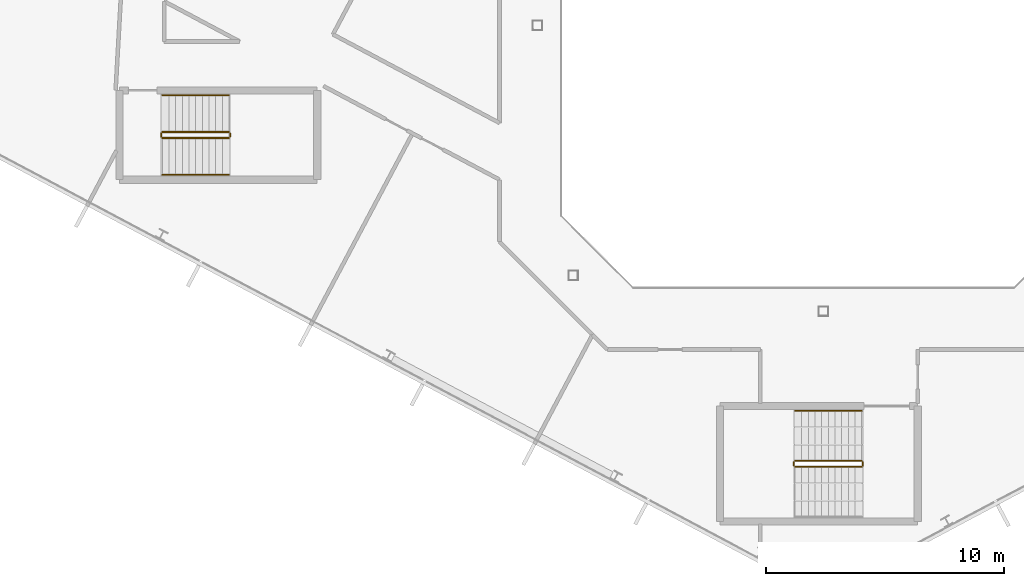
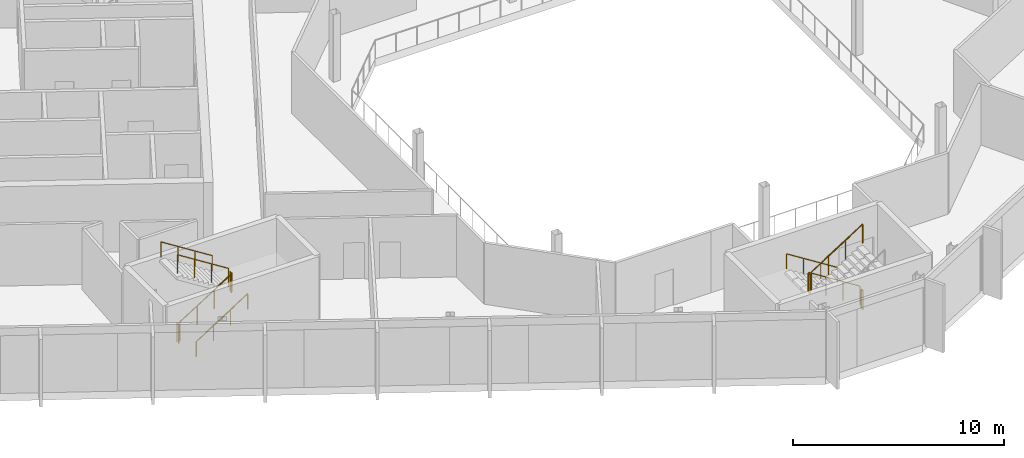
# One storey, part 20 of 26: 11 railings.
"""IFC4 building model written with IfcOpenShell, lengths in metres."""

from ifc_helpers import new_model, si_unit, direction, frame, origin, place, context, subcontext, project, spatial, polyline, outline, extrude, material, type_object, element, save


model = new_model("IFC4")

# Units and contexts
model_context = context("Model", 3, precision=1e-05, world=origin(), true_north=direction((0.0, 1.0)))
body_context = subcontext(model_context, "Body", "Model", "MODEL_VIEW")
ifc_project = project(units=[si_unit("LENGTHUNIT", "METRE"), si_unit("AREAUNIT", "SQUARE_METRE"), si_unit("VOLUMEUNIT", "CUBIC_METRE"), si_unit("PLANEANGLEUNIT", "RADIAN"), si_unit("MASSUNIT", "GRAM", prefix="KILO")], contexts=[model_context])

# Site, building, storey
site_placement = place(None, origin())
site = spatial("IfcSite", under=ifc_project, at=site_placement, CompositionType="ELEMENT")
building_placement = place(site_placement, origin())
building = spatial("IfcBuilding", under=site, at=building_placement, Name="Cormorant Relay Tower", CompositionType="ELEMENT")
storey_placement = place(building_placement, frame((0.0, 0.0, 320.39990234375)))
storey = spatial("IfcBuildingStorey", under=building, at=storey_placement, Name="L73", CompositionType="ELEMENT", Elevation=320.39990234375)

# Railings
ifc_material_1 = material(Name="Steel ASTM A572 Grade 50 (Fy 345 MPa)", Category="steel")
railing_type_1 = type_object("IfcRailingType", Name="Stair guard 1100", PredefinedType="GUARDRAIL", material=ifc_material_1)
railing_1_placement = place(storey_placement, frame((1.60009765625, -18.27490234375, 0.177490234375)))
element("IfcRailing", 1, at=railing_1_placement, inside=storey, type_object=railing_type_1, Name="L73 RK1 stair guard 1", PredefinedType="GUARDRAIL", context=body_context, shape_type="SweptSolid", body=[
    extrude(outline(polyline([(0.022216796875, 0.00927734375), (0.00927734375, 0.022216796875), (-0.00927734375, 0.022216796875), (-0.022216796875, 0.00927734375), (-0.022216796875, -0.00927734375), (-0.00927734375, -0.022216796875), (0.00927734375, -0.022216796875), (0.022216796875, -0.00927734375), (0.022216796875, 0.00927734375)])), frame((0.0, 0.0, 1.076171875), z_axis=(-0.844908973607, 0.0, 0.534910110503), x_axis=(0.0, -1.0, 0.0)), (0.0, 0.0, 1.0), 3.31396484375),
    extrude(outline(polyline([(0.019287109375, 0.008056640625), (0.008056640625, 0.019287109375), (-0.008056640625, 0.019287109375), (-0.019287109375, 0.008056640625), (-0.019287109375, -0.008056640625), (-0.008056640625, -0.019287109375), (0.008056640625, -0.019287109375), (0.019287109375, -0.008056640625), (0.019287109375, 0.008056640625)])), origin(), (0.0, 0.0, 1.0), 1.052001953125),
    extrude(outline(polyline([(0.019287109375, 0.008056640625), (0.008056640625, 0.019287109375), (-0.008056640625, 0.019287109375), (-0.019287109375, 0.008056640625), (-0.019287109375, -0.008056640625), (-0.008056640625, -0.019287109375), (0.008056640625, -0.019287109375), (0.019287109375, -0.008056640625), (0.019287109375, 0.008056640625)])), frame((-0.933349609375, 0.0, 0.5908203125)), (0.0, 0.0, 1.0), 1.052001953125),
    extrude(outline(polyline([(0.019287109375, 0.008056640625), (0.008056640625, 0.019287109375), (-0.008056640625, 0.019287109375), (-0.019287109375, 0.008056640625), (-0.019287109375, -0.008056640625), (-0.008056640625, -0.019287109375), (0.008056640625, -0.019287109375), (0.019287109375, -0.008056640625), (0.019287109375, 0.008056640625)])), frame((-1.86669921875, 0.0, 1.181884765625)), (0.0, 0.0, 1.0), 1.052001953125),
    extrude(outline(polyline([(0.019287109375, 0.008056640625), (0.008056640625, 0.019287109375), (-0.008056640625, 0.019287109375), (-0.019287109375, 0.008056640625), (-0.019287109375, -0.008056640625), (-0.008056640625, -0.019287109375), (0.008056640625, -0.019287109375), (0.019287109375, -0.008056640625), (0.019287109375, 0.008056640625)])), frame((-2.800048828125, 0.0, 1.772705078125)), (0.0, 0.0, 1.0), 1.052001953125),
])
railing_2_placement = place(storey_placement, frame((-1.25, -18.324951171875, 1.9501953125)))
element("IfcRailing", 2, at=railing_2_placement, inside=storey, type_object=railing_type_1, Name="L73 RK1 stair guard 2", PredefinedType="GUARDRAIL", context=body_context, shape_type="SweptSolid", body=[
    extrude(outline(polyline([(0.022216796875, 0.00927734375), (0.00927734375, 0.022216796875), (-0.00927734375, 0.022216796875), (-0.022216796875, 0.00927734375), (-0.022216796875, -0.00927734375), (-0.00927734375, -0.022216796875), (0.00927734375, -0.022216796875), (0.022216796875, -0.00927734375), (0.022216796875, 0.00927734375)])), frame((0.0, 0.0, 1.076171875), z_axis=(0.0, -1.0, 0.0), x_axis=(1.0, 0.0, 0.0)), (0.0, 0.0, 1.0), 0.150146484375),
    extrude(outline(polyline([(0.019287109375, 0.008056640625), (0.008056640625, 0.019287109375), (-0.008056640625, 0.019287109375), (-0.019287109375, 0.008056640625), (-0.019287109375, -0.008056640625), (-0.008056640625, -0.019287109375), (0.008056640625, -0.019287109375), (0.019287109375, -0.008056640625), (0.019287109375, 0.008056640625)])), origin(), (0.0, 0.0, 1.0), 1.052001953125),
    extrude(outline(polyline([(0.019287109375, 0.008056640625), (0.008056640625, 0.019287109375), (-0.008056640625, 0.019287109375), (-0.019287109375, 0.008056640625), (-0.019287109375, -0.008056640625), (-0.008056640625, -0.019287109375), (0.008056640625, -0.019287109375), (0.019287109375, -0.008056640625), (0.019287109375, 0.008056640625)])), frame((0.0, -0.150146484375, 0.0)), (0.0, 0.0, 1.0), 1.052001953125),
])
railing_3_placement = place(storey_placement, frame((-1.199951171875, -18.52490234375, 2.12744140625)))
element("IfcRailing", 3, at=railing_3_placement, inside=storey, type_object=railing_type_1, Name="L73 RK1 stair guard 3", PredefinedType="GUARDRAIL", context=body_context, shape_type="SweptSolid", body=[
    extrude(outline(polyline([(0.022216796875, 0.00927734375), (0.00927734375, 0.022216796875), (-0.00927734375, 0.022216796875), (-0.022216796875, 0.00927734375), (-0.022216796875, -0.00927734375), (-0.00927734375, -0.022216796875), (0.00927734375, -0.022216796875), (0.022216796875, -0.00927734375), (0.022216796875, 0.00927734375)])), frame((0.0, 0.0, 1.076171875), z_axis=(0.844908973607, 0.0, 0.534910110503), x_axis=(0.0, 1.0, 0.0)), (0.0, 0.0, 1.0), 3.31396484375),
    extrude(outline(polyline([(0.019287109375, 0.008056640625), (0.008056640625, 0.019287109375), (-0.008056640625, 0.019287109375), (-0.019287109375, 0.008056640625), (-0.019287109375, -0.008056640625), (-0.008056640625, -0.019287109375), (0.008056640625, -0.019287109375), (0.019287109375, -0.008056640625), (0.019287109375, 0.008056640625)])), origin(), (0.0, 0.0, 1.0), 1.052001953125),
    extrude(outline(polyline([(0.019287109375, 0.008056640625), (0.008056640625, 0.019287109375), (-0.008056640625, 0.019287109375), (-0.019287109375, 0.008056640625), (-0.019287109375, -0.008056640625), (-0.008056640625, -0.019287109375), (0.008056640625, -0.019287109375), (0.019287109375, -0.008056640625), (0.019287109375, 0.008056640625)])), frame((0.933349609375, 0.0, 0.5908203125)), (0.0, 0.0, 1.0), 1.052001953125),
    extrude(outline(polyline([(0.019287109375, 0.008056640625), (0.008056640625, 0.019287109375), (-0.008056640625, 0.019287109375), (-0.019287109375, 0.008056640625), (-0.019287109375, -0.008056640625), (-0.008056640625, -0.019287109375), (0.008056640625, -0.019287109375), (0.019287109375, -0.008056640625), (0.019287109375, 0.008056640625)])), frame((1.86669921875, 0.0, 1.181884765625)), (0.0, 0.0, 1.0), 1.052001953125),
    extrude(outline(polyline([(0.019287109375, 0.008056640625), (0.008056640625, 0.019287109375), (-0.008056640625, 0.019287109375), (-0.019287109375, 0.008056640625), (-0.019287109375, -0.008056640625), (-0.008056640625, -0.019287109375), (0.008056640625, -0.019287109375), (0.019287109375, -0.008056640625), (0.019287109375, 0.008056640625)])), frame((2.800048828125, 0.0, 1.772705078125)), (0.0, 0.0, 1.0), 1.052001953125),
])
railing_4_placement = place(storey_placement, frame((1.64990234375, -18.324951171875, 0.0)))
element("IfcRailing", 4, at=railing_4_placement, inside=storey, type_object=railing_type_1, Name="L73 RK1 stair guard 4", PredefinedType="GUARDRAIL", context=body_context, shape_type="SweptSolid", body=[
    extrude(outline(polyline([(0.022216796875, 0.00927734375), (0.00927734375, 0.022216796875), (-0.00927734375, 0.022216796875), (-0.022216796875, 0.00927734375), (-0.022216796875, -0.00927734375), (-0.00927734375, -0.022216796875), (0.00927734375, -0.022216796875), (0.022216796875, -0.00927734375), (0.022216796875, 0.00927734375)])), frame((0.0, 0.0, 1.076171875), z_axis=(0.0, -1.0, 0.0), x_axis=(1.0, 0.0, 0.0)), (0.0, 0.0, 1.0), 0.150146484375),
    extrude(outline(polyline([(0.019287109375, 0.008056640625), (0.008056640625, 0.019287109375), (-0.008056640625, 0.019287109375), (-0.019287109375, 0.008056640625), (-0.019287109375, -0.008056640625), (-0.008056640625, -0.019287109375), (0.008056640625, -0.019287109375), (0.019287109375, -0.008056640625), (0.019287109375, 0.008056640625)])), origin(), (0.0, 0.0, 1.0), 1.052001953125),
    extrude(outline(polyline([(0.019287109375, 0.008056640625), (0.008056640625, 0.019287109375), (-0.008056640625, 0.019287109375), (-0.019287109375, 0.008056640625), (-0.019287109375, -0.008056640625), (-0.008056640625, -0.019287109375), (0.008056640625, -0.019287109375), (0.019287109375, -0.008056640625), (0.019287109375, 0.008056640625)])), frame((0.0, -0.150146484375, 0.0)), (0.0, 0.0, 1.0), 1.052001953125),
])
railing_5_placement = place(storey_placement, frame((-27.75, -4.72509765625, 0.177490234375)))
element("IfcRailing", 5, at=railing_5_placement, inside=storey, type_object=railing_type_1, Name="L73 RC1 stair guard 1", PredefinedType="GUARDRAIL", context=body_context, shape_type="SweptSolid", body=[
    extrude(outline(polyline([(0.022216796875, 0.00927734375), (0.00927734375, 0.022216796875), (-0.00927734375, 0.022216796875), (-0.022216796875, 0.00927734375), (-0.022216796875, -0.00927734375), (-0.00927734375, -0.022216796875), (0.00927734375, -0.022216796875), (0.022216796875, -0.00927734375), (0.022216796875, 0.00927734375)])), frame((0.0, 0.0, 1.076171875), z_axis=(0.844908973607, 0.0, 0.534910110503), x_axis=(0.0, 1.0, 0.0)), (0.0, 0.0, 1.0), 3.31396484375),
    extrude(outline(polyline([(0.019287109375, 0.008056640625), (0.008056640625, 0.019287109375), (-0.008056640625, 0.019287109375), (-0.019287109375, 0.008056640625), (-0.019287109375, -0.008056640625), (-0.008056640625, -0.019287109375), (0.008056640625, -0.019287109375), (0.019287109375, -0.008056640625), (0.019287109375, 0.008056640625)])), origin(), (0.0, 0.0, 1.0), 1.052001953125),
    extrude(outline(polyline([(0.019287109375, 0.008056640625), (0.008056640625, 0.019287109375), (-0.008056640625, 0.019287109375), (-0.019287109375, 0.008056640625), (-0.019287109375, -0.008056640625), (-0.008056640625, -0.019287109375), (0.008056640625, -0.019287109375), (0.019287109375, -0.008056640625), (0.019287109375, 0.008056640625)])), frame((0.933349609375, 0.0, 0.5908203125)), (0.0, 0.0, 1.0), 1.052001953125),
    extrude(outline(polyline([(0.019287109375, 0.008056640625), (0.008056640625, 0.019287109375), (-0.008056640625, 0.019287109375), (-0.019287109375, 0.008056640625), (-0.019287109375, -0.008056640625), (-0.008056640625, -0.019287109375), (0.008056640625, -0.019287109375), (0.019287109375, -0.008056640625), (0.019287109375, 0.008056640625)])), frame((1.86669921875, 0.0, 1.181884765625)), (0.0, 0.0, 1.0), 1.052001953125),
    extrude(outline(polyline([(0.019287109375, 0.008056640625), (0.008056640625, 0.019287109375), (-0.008056640625, 0.019287109375), (-0.019287109375, 0.008056640625), (-0.019287109375, -0.008056640625), (-0.008056640625, -0.019287109375), (0.008056640625, -0.019287109375), (0.019287109375, -0.008056640625), (0.019287109375, 0.008056640625)])), frame((2.800048828125, 0.0, 1.772705078125)), (0.0, 0.0, 1.0), 1.052001953125),
])
railing_6_placement = place(storey_placement, frame((-24.89990234375, -4.675048828125, 1.9501953125)))
element("IfcRailing", 6, at=railing_6_placement, inside=storey, type_object=railing_type_1, Name="L73 RC1 stair guard 2", PredefinedType="GUARDRAIL", context=body_context, shape_type="SweptSolid", body=[
    extrude(outline(polyline([(0.022216796875, 0.00927734375), (0.00927734375, 0.022216796875), (-0.00927734375, 0.022216796875), (-0.022216796875, 0.00927734375), (-0.022216796875, -0.00927734375), (-0.00927734375, -0.022216796875), (0.00927734375, -0.022216796875), (0.022216796875, -0.00927734375), (0.022216796875, 0.00927734375)])), frame((0.0, 0.0, 1.076171875), z_axis=(0.0, 1.0, 0.0), x_axis=(-1.0, 0.0, 0.0)), (0.0, 0.0, 1.0), 0.150146484375),
    extrude(outline(polyline([(0.019287109375, 0.008056640625), (0.008056640625, 0.019287109375), (-0.008056640625, 0.019287109375), (-0.019287109375, 0.008056640625), (-0.019287109375, -0.008056640625), (-0.008056640625, -0.019287109375), (0.008056640625, -0.019287109375), (0.019287109375, -0.008056640625), (0.019287109375, 0.008056640625)])), origin(), (0.0, 0.0, 1.0), 1.052001953125),
    extrude(outline(polyline([(0.019287109375, 0.008056640625), (0.008056640625, 0.019287109375), (-0.008056640625, 0.019287109375), (-0.019287109375, 0.008056640625), (-0.019287109375, -0.008056640625), (-0.008056640625, -0.019287109375), (0.008056640625, -0.019287109375), (0.019287109375, -0.008056640625), (0.019287109375, 0.008056640625)])), frame((0.0, 0.150146484375, 0.0)), (0.0, 0.0, 1.0), 1.052001953125),
])
railing_7_placement = place(storey_placement, frame((-24.949951171875, -4.47509765625, 2.12744140625)))
element("IfcRailing", 7, at=railing_7_placement, inside=storey, type_object=railing_type_1, Name="L73 RC1 stair guard 3", PredefinedType="GUARDRAIL", context=body_context, shape_type="SweptSolid", body=[
    extrude(outline(polyline([(0.022216796875, 0.00927734375), (0.00927734375, 0.022216796875), (-0.00927734375, 0.022216796875), (-0.022216796875, 0.00927734375), (-0.022216796875, -0.00927734375), (-0.00927734375, -0.022216796875), (0.00927734375, -0.022216796875), (0.022216796875, -0.00927734375), (0.022216796875, 0.00927734375)])), frame((0.0, 0.0, 1.076171875), z_axis=(-0.844908973607, 0.0, 0.534910110503), x_axis=(0.0, -1.0, 0.0)), (0.0, 0.0, 1.0), 3.31396484375),
    extrude(outline(polyline([(0.019287109375, 0.008056640625), (0.008056640625, 0.019287109375), (-0.008056640625, 0.019287109375), (-0.019287109375, 0.008056640625), (-0.019287109375, -0.008056640625), (-0.008056640625, -0.019287109375), (0.008056640625, -0.019287109375), (0.019287109375, -0.008056640625), (0.019287109375, 0.008056640625)])), origin(), (0.0, 0.0, 1.0), 1.052001953125),
    extrude(outline(polyline([(0.019287109375, 0.008056640625), (0.008056640625, 0.019287109375), (-0.008056640625, 0.019287109375), (-0.019287109375, 0.008056640625), (-0.019287109375, -0.008056640625), (-0.008056640625, -0.019287109375), (0.008056640625, -0.019287109375), (0.019287109375, -0.008056640625), (0.019287109375, 0.008056640625)])), frame((-0.933349609375, 0.0, 0.5908203125)), (0.0, 0.0, 1.0), 1.052001953125),
    extrude(outline(polyline([(0.019287109375, 0.008056640625), (0.008056640625, 0.019287109375), (-0.008056640625, 0.019287109375), (-0.019287109375, 0.008056640625), (-0.019287109375, -0.008056640625), (-0.008056640625, -0.019287109375), (0.008056640625, -0.019287109375), (0.019287109375, -0.008056640625), (0.019287109375, 0.008056640625)])), frame((-1.86669921875, 0.0, 1.181884765625)), (0.0, 0.0, 1.0), 1.052001953125),
    extrude(outline(polyline([(0.019287109375, 0.008056640625), (0.008056640625, 0.019287109375), (-0.008056640625, 0.019287109375), (-0.019287109375, 0.008056640625), (-0.019287109375, -0.008056640625), (-0.008056640625, -0.019287109375), (0.008056640625, -0.019287109375), (0.019287109375, -0.008056640625), (0.019287109375, 0.008056640625)])), frame((-2.800048828125, 0.0, 1.772705078125)), (0.0, 0.0, 1.0), 1.052001953125),
])
railing_8_placement = place(storey_placement, frame((-27.800048828125, -4.675048828125, 0.0)))
element("IfcRailing", 8, at=railing_8_placement, inside=storey, type_object=railing_type_1, Name="L73 RC1 stair guard 4", PredefinedType="GUARDRAIL", context=body_context, shape_type="SweptSolid", body=[
    extrude(outline(polyline([(0.022216796875, 0.00927734375), (0.00927734375, 0.022216796875), (-0.00927734375, 0.022216796875), (-0.022216796875, 0.00927734375), (-0.022216796875, -0.00927734375), (-0.00927734375, -0.022216796875), (0.00927734375, -0.022216796875), (0.022216796875, -0.00927734375), (0.022216796875, 0.00927734375)])), frame((0.0, 0.0, 1.076171875), z_axis=(0.0, 1.0, 0.0), x_axis=(-1.0, 0.0, 0.0)), (0.0, 0.0, 1.0), 0.150146484375),
    extrude(outline(polyline([(0.019287109375, 0.008056640625), (0.008056640625, 0.019287109375), (-0.008056640625, 0.019287109375), (-0.019287109375, 0.008056640625), (-0.019287109375, -0.008056640625), (-0.008056640625, -0.019287109375), (0.008056640625, -0.019287109375), (0.019287109375, -0.008056640625), (0.019287109375, 0.008056640625)])), origin(), (0.0, 0.0, 1.0), 1.052001953125),
    extrude(outline(polyline([(0.019287109375, 0.008056640625), (0.008056640625, 0.019287109375), (-0.008056640625, 0.019287109375), (-0.019287109375, 0.008056640625), (-0.019287109375, -0.008056640625), (-0.008056640625, -0.019287109375), (0.008056640625, -0.019287109375), (0.019287109375, -0.008056640625), (0.019287109375, 0.008056640625)])), frame((0.0, 0.150146484375, 0.0)), (0.0, 0.0, 1.0), 1.052001953125),
])
ifc_material_2 = material(Name="Steel ASTM A572 Grade 50 (Fy 345 MPa)", Category="steel")
railing_type_2 = type_object("IfcRailingType", Name="Stair handrail 900", PredefinedType="HANDRAIL", material=ifc_material_2)
railing_9_placement = place(storey_placement, frame((1.60009765625, -16.175048828125, 0.177490234375)))
element("IfcRailing", 9, at=railing_9_placement, inside=storey, type_object=railing_type_2, Name="L73 RK1 stair handrail 1", PredefinedType="HANDRAIL", context=body_context, shape_type="SweptSolid", body=[
    extrude(outline(polyline([(0.022216796875, 0.00927734375), (0.00927734375, 0.022216796875), (-0.00927734375, 0.022216796875), (-0.022216796875, 0.00927734375), (-0.022216796875, -0.00927734375), (-0.00927734375, -0.022216796875), (0.00927734375, -0.022216796875), (0.022216796875, -0.00927734375), (0.022216796875, 0.00927734375)])), frame((0.0, 0.0, 0.8759765625), z_axis=(-0.844908973607, 0.0, 0.534910110503), x_axis=(0.0, -1.0, 0.0)), (0.0, 0.0, 1.0), 3.31396484375),
    extrude(outline(polyline([(0.019287109375, 0.008056640625), (0.008056640625, 0.019287109375), (-0.008056640625, 0.019287109375), (-0.019287109375, 0.008056640625), (-0.019287109375, -0.008056640625), (-0.008056640625, -0.019287109375), (0.008056640625, -0.019287109375), (0.019287109375, -0.008056640625), (0.019287109375, 0.008056640625)])), origin(), (0.0, 0.0, 1.0), 0.851806640625),
    extrude(outline(polyline([(0.019287109375, 0.008056640625), (0.008056640625, 0.019287109375), (-0.008056640625, 0.019287109375), (-0.019287109375, 0.008056640625), (-0.019287109375, -0.008056640625), (-0.008056640625, -0.019287109375), (0.008056640625, -0.019287109375), (0.019287109375, -0.008056640625), (0.019287109375, 0.008056640625)])), frame((-0.933349609375, 0.0, 0.5908203125)), (0.0, 0.0, 1.0), 0.851806640625),
    extrude(outline(polyline([(0.019287109375, 0.008056640625), (0.008056640625, 0.019287109375), (-0.008056640625, 0.019287109375), (-0.019287109375, 0.008056640625), (-0.019287109375, -0.008056640625), (-0.008056640625, -0.019287109375), (0.008056640625, -0.019287109375), (0.019287109375, -0.008056640625), (0.019287109375, 0.008056640625)])), frame((-1.86669921875, 0.0, 1.181884765625)), (0.0, 0.0, 1.0), 0.851806640625),
    extrude(outline(polyline([(0.019287109375, 0.008056640625), (0.008056640625, 0.019287109375), (-0.008056640625, 0.019287109375), (-0.019287109375, 0.008056640625), (-0.019287109375, -0.008056640625), (-0.008056640625, -0.019287109375), (0.008056640625, -0.019287109375), (0.019287109375, -0.008056640625), (0.019287109375, 0.008056640625)])), frame((-2.800048828125, 0.0, 1.772705078125)), (0.0, 0.0, 1.0), 0.851806640625),
])
railing_10_placement = place(storey_placement, frame((-27.75, -6.27490234375, 0.177490234375)))
element("IfcRailing", 10, at=railing_10_placement, inside=storey, type_object=railing_type_2, Name="L73 RC1 stair handrail 1", PredefinedType="HANDRAIL", context=body_context, shape_type="SweptSolid", body=[
    extrude(outline(polyline([(0.022216796875, 0.00927734375), (0.00927734375, 0.022216796875), (-0.00927734375, 0.022216796875), (-0.022216796875, 0.00927734375), (-0.022216796875, -0.00927734375), (-0.00927734375, -0.022216796875), (0.00927734375, -0.022216796875), (0.022216796875, -0.00927734375), (0.022216796875, 0.00927734375)])), frame((0.0, 0.0, 0.8759765625), z_axis=(0.844908973607, 0.0, 0.534910110503), x_axis=(0.0, 1.0, 0.0)), (0.0, 0.0, 1.0), 3.31396484375),
    extrude(outline(polyline([(0.019287109375, 0.008056640625), (0.008056640625, 0.019287109375), (-0.008056640625, 0.019287109375), (-0.019287109375, 0.008056640625), (-0.019287109375, -0.008056640625), (-0.008056640625, -0.019287109375), (0.008056640625, -0.019287109375), (0.019287109375, -0.008056640625), (0.019287109375, 0.008056640625)])), origin(), (0.0, 0.0, 1.0), 0.851806640625),
    extrude(outline(polyline([(0.019287109375, 0.008056640625), (0.008056640625, 0.019287109375), (-0.008056640625, 0.019287109375), (-0.019287109375, 0.008056640625), (-0.019287109375, -0.008056640625), (-0.008056640625, -0.019287109375), (0.008056640625, -0.019287109375), (0.019287109375, -0.008056640625), (0.019287109375, 0.008056640625)])), frame((0.933349609375, 0.0, 0.5908203125)), (0.0, 0.0, 1.0), 0.851806640625),
    extrude(outline(polyline([(0.019287109375, 0.008056640625), (0.008056640625, 0.019287109375), (-0.008056640625, 0.019287109375), (-0.019287109375, 0.008056640625), (-0.019287109375, -0.008056640625), (-0.008056640625, -0.019287109375), (0.008056640625, -0.019287109375), (0.019287109375, -0.008056640625), (0.019287109375, 0.008056640625)])), frame((1.86669921875, 0.0, 1.181884765625)), (0.0, 0.0, 1.0), 0.851806640625),
    extrude(outline(polyline([(0.019287109375, 0.008056640625), (0.008056640625, 0.019287109375), (-0.008056640625, 0.019287109375), (-0.019287109375, 0.008056640625), (-0.019287109375, -0.008056640625), (-0.008056640625, -0.019287109375), (0.008056640625, -0.019287109375), (0.019287109375, -0.008056640625), (0.019287109375, 0.008056640625)])), frame((2.800048828125, 0.0, 1.772705078125)), (0.0, 0.0, 1.0), 0.851806640625),
])
railing_11_placement = place(storey_placement, frame((-24.949951171875, -2.925048828125, 2.12744140625)))
element("IfcRailing", 11, at=railing_11_placement, inside=storey, type_object=railing_type_2, Name="L73 RC1 stair handrail 2", PredefinedType="HANDRAIL", context=body_context, shape_type="SweptSolid", body=[
    extrude(outline(polyline([(0.022216796875, 0.00927734375), (0.00927734375, 0.022216796875), (-0.00927734375, 0.022216796875), (-0.022216796875, 0.00927734375), (-0.022216796875, -0.00927734375), (-0.00927734375, -0.022216796875), (0.00927734375, -0.022216796875), (0.022216796875, -0.00927734375), (0.022216796875, 0.00927734375)])), frame((0.0, 0.0, 0.8759765625), z_axis=(-0.844908973607, 0.0, 0.534910110503), x_axis=(0.0, -1.0, 0.0)), (0.0, 0.0, 1.0), 3.31396484375),
    extrude(outline(polyline([(0.019287109375, 0.008056640625), (0.008056640625, 0.019287109375), (-0.008056640625, 0.019287109375), (-0.019287109375, 0.008056640625), (-0.019287109375, -0.008056640625), (-0.008056640625, -0.019287109375), (0.008056640625, -0.019287109375), (0.019287109375, -0.008056640625), (0.019287109375, 0.008056640625)])), origin(), (0.0, 0.0, 1.0), 0.851806640625),
    extrude(outline(polyline([(0.019287109375, 0.008056640625), (0.008056640625, 0.019287109375), (-0.008056640625, 0.019287109375), (-0.019287109375, 0.008056640625), (-0.019287109375, -0.008056640625), (-0.008056640625, -0.019287109375), (0.008056640625, -0.019287109375), (0.019287109375, -0.008056640625), (0.019287109375, 0.008056640625)])), frame((-0.933349609375, 0.0, 0.5908203125)), (0.0, 0.0, 1.0), 0.851806640625),
    extrude(outline(polyline([(0.019287109375, 0.008056640625), (0.008056640625, 0.019287109375), (-0.008056640625, 0.019287109375), (-0.019287109375, 0.008056640625), (-0.019287109375, -0.008056640625), (-0.008056640625, -0.019287109375), (0.008056640625, -0.019287109375), (0.019287109375, -0.008056640625), (0.019287109375, 0.008056640625)])), frame((-1.86669921875, 0.0, 1.181884765625)), (0.0, 0.0, 1.0), 0.851806640625),
    extrude(outline(polyline([(0.019287109375, 0.008056640625), (0.008056640625, 0.019287109375), (-0.008056640625, 0.019287109375), (-0.019287109375, 0.008056640625), (-0.019287109375, -0.008056640625), (-0.008056640625, -0.019287109375), (0.008056640625, -0.019287109375), (0.019287109375, -0.008056640625), (0.019287109375, 0.008056640625)])), frame((-2.800048828125, 0.0, 1.772705078125)), (0.0, 0.0, 1.0), 0.851806640625),
])

save(model, "model.ifc")
